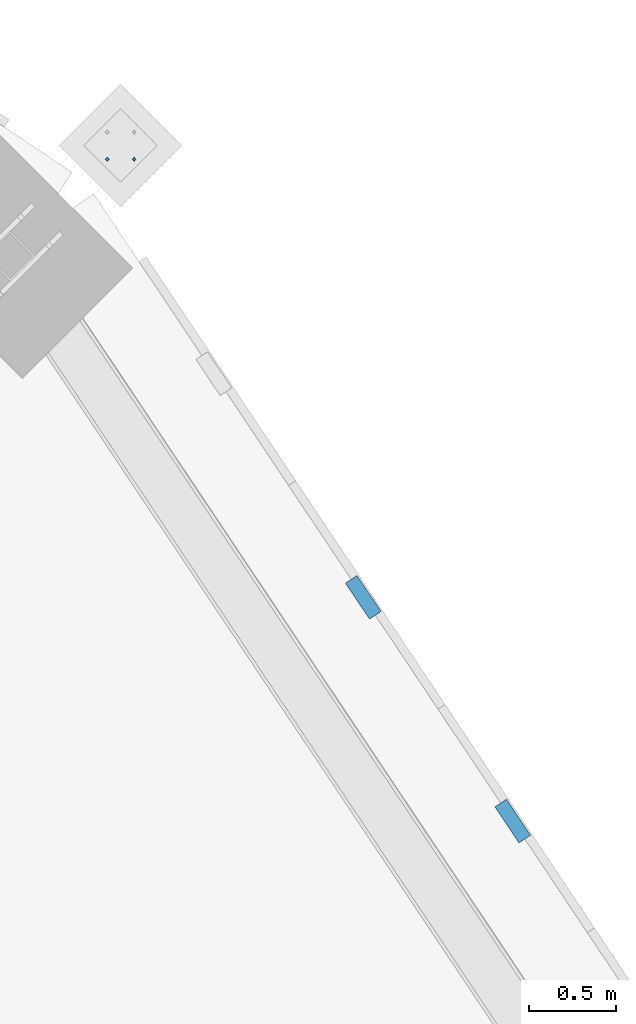
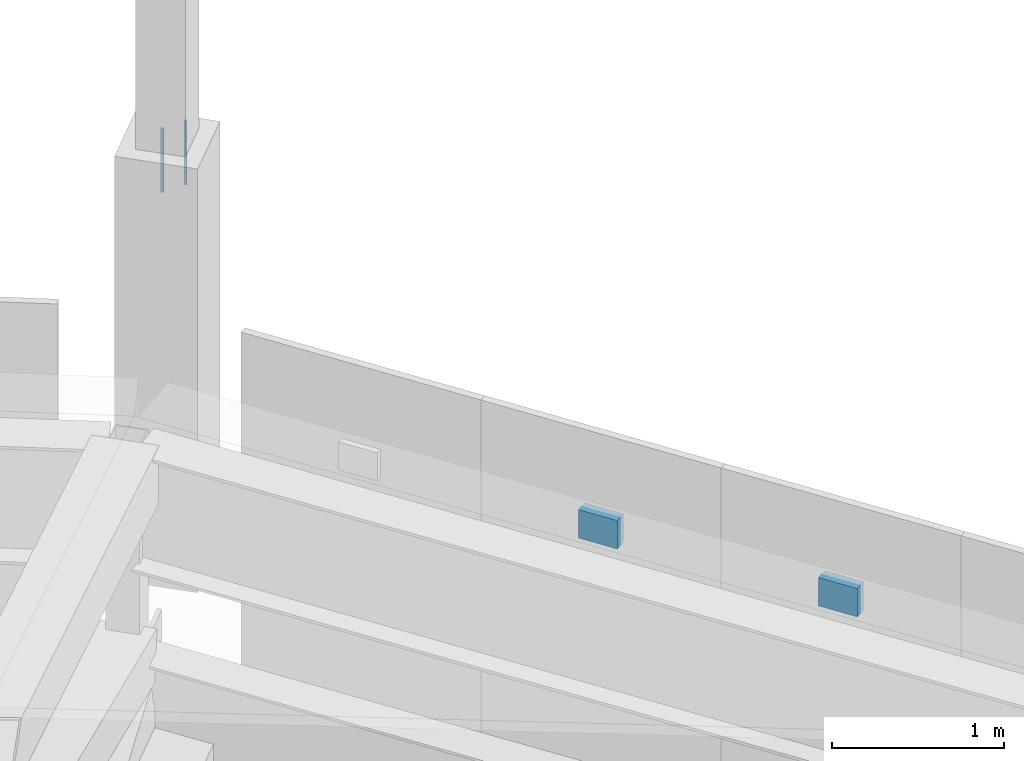
# One storey, part 262 of 278: 2 discrete accessories, 2 mechanical fasteners.
"""IFC4 building model written with IfcOpenShell, lengths in metres."""

from ifc_helpers import new_model, si_unit, direction, frame, origin, origin_2d, place, context, subcontext, project, spatial, rectangle, extrude, material, layer, layer_set, type_object, element, save


model = new_model("IFC4")

# Units and contexts
model_context = context("Model", 3, precision=1e-05, world=origin(), true_north=direction((0.0, 1.0)))
body_context = subcontext(model_context, "Body", "Model", "MODEL_VIEW")
ifc_project = project(units=[si_unit("LENGTHUNIT", "METRE"), si_unit("AREAUNIT", "SQUARE_METRE"), si_unit("VOLUMEUNIT", "CUBIC_METRE"), si_unit("PLANEANGLEUNIT", "RADIAN"), si_unit("MASSUNIT", "GRAM", prefix="KILO")], contexts=[model_context])

# Site, building, storey
site_placement = place(None, origin())
site = spatial("IfcSite", under=ifc_project, at=site_placement, CompositionType="ELEMENT")
building_placement = place(site_placement, origin())
building = spatial("IfcBuilding", under=site, at=building_placement, Name="Ogive Plaza Stadium", CompositionType="ELEMENT")
storey_placement = place(building_placement, frame((0.0, 0.0, 29.0)))
storey = spatial("IfcBuildingStorey", under=building, at=storey_placement, Name="Roof", CompositionType="ELEMENT", Elevation=29.0)

# Mechanical fasteners
ifc_material_1 = material(Name="Steel ASTM A992 Grade 50", Category="steel")
mechanical_fastener_type = type_object("IfcMechanicalFastenerType", Name="Spire anchor bolt M16 x 450", PredefinedType="ANCHORBOLT", material=ifc_material_1)
for number, where, z_axis, x_axis, name in (
    (1, (69.9140625, 88.4140625, 6.7001953125), (0.0, 0.0, 1.0), (0.707106781187, 0.707106781187, 0.0), "SPIRE ANCHOR BOLT 39 2"),
    (2, (70.069580078125, 88.4140625, 6.7001953125), (0.0, 0.0, 1.0), (0.707106781187, 0.707106781187, 0.0), "SPIRE ANCHOR BOLT 39 4"),
):
    element("IfcMechanicalFastener", number, at=place(storey_placement, frame(where, z_axis=z_axis, x_axis=x_axis)), inside=storey, type_object=mechanical_fastener_type, Name=name, PredefinedType="ANCHORBOLT", context=body_context, shape_type="SweptSolid", body=[
        extrude(rectangle(XDim=0.01611328125, YDim=0.01611328125, at=origin_2d()), origin(), (0.0, 0.0, 1.0), 0.449951171875),
    ])

# Discrete accessories
ifc_material_2 = material(Name="Steel ASTM A572 Grade 50", Category="steel")
ifc_layer = layer(ifc_material_2, 0.080078125)
ifc_layer_set = layer_set([ifc_layer], Name="Steel ASTM A572 Grade 50")
discrete_accessory_type = type_object("IfcDiscreteAccessoryType", Name="Tracery screen bracket 250x200", PredefinedType="BRACKET", material=ifc_layer_set)
for number, where, z_axis, x_axis, name in (
    (3, (71.392578125, 85.885498046875, 5.25), (0.0, 0.0, 1.0), (0.55557023302, -0.831469612303, 0.0), "TRACERY SCREEN BRACKET B39 2"),
    (4, (72.2548828125, 84.5947265625, 5.25), (0.0, 0.0, 1.0), (0.55557023302, -0.831469612303, 0.0), "TRACERY SCREEN BRACKET B39 3"),
):
    element("IfcDiscreteAccessory", number, at=place(storey_placement, frame(where, z_axis=z_axis, x_axis=x_axis)), inside=storey, type_object=discrete_accessory_type, Name=name, PredefinedType="BRACKET", context=body_context, shape_type="SweptSolid", body=[
        extrude(rectangle(XDim=0.25, YDim=0.080078125, at=origin_2d()), origin(), (0.0, 0.0, 1.0), 0.199951171875),
    ])

save(model, "model.ifc")
